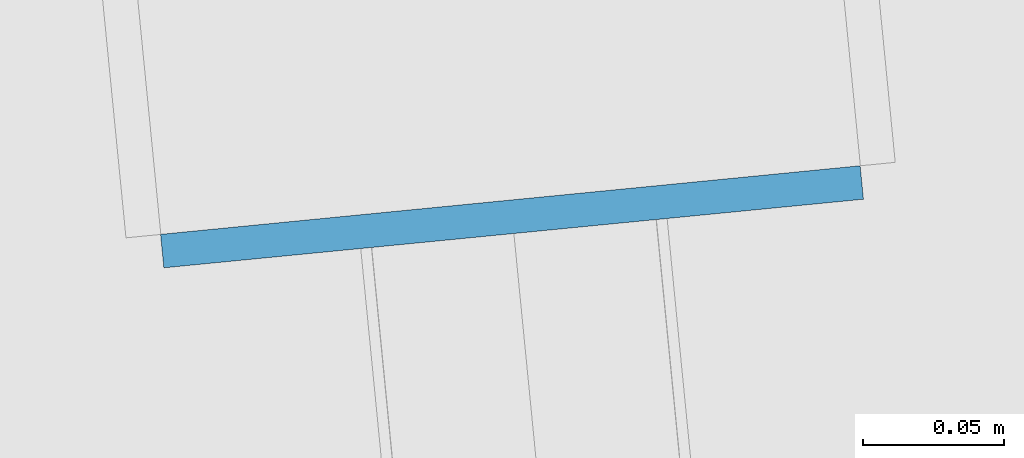
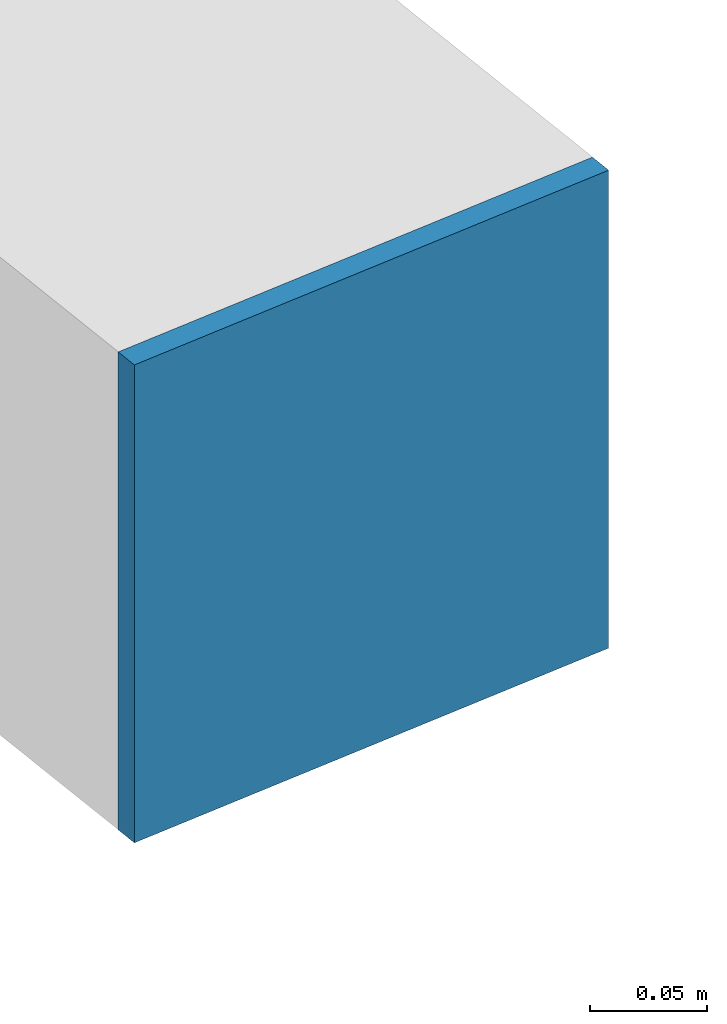
# One storey, part 34 of 47: 1 plate.
"""IFC4 building model written with IfcOpenShell, lengths in metres."""

from ifc_helpers import new_model, si_unit, direction, frame, origin, origin_2d, place, context, subcontext, project, spatial, rectangle, extrude, source, transform, mapped, material, layer, layer_set, type_object, element, save


model = new_model("IFC4")

# Units and contexts
model_context = context("Model", 3, precision=1e-05, world=origin(), true_north=direction((0.0, 1.0)))
body_context = subcontext(model_context, "Body", "Model", "MODEL_VIEW")
ifc_project = project(units=[si_unit("LENGTHUNIT", "METRE"), si_unit("AREAUNIT", "SQUARE_METRE"), si_unit("VOLUMEUNIT", "CUBIC_METRE"), si_unit("PLANEANGLEUNIT", "RADIAN"), si_unit("MASSUNIT", "GRAM", prefix="KILO")], contexts=[model_context])

# Site, building, storey
site_placement = place(None, origin())
site = spatial("IfcSite", under=ifc_project, at=site_placement, CompositionType="ELEMENT")
building_placement = place(site_placement, origin())
building = spatial("IfcBuilding", under=site, at=building_placement, Name="Taldren Reach Tower", CompositionType="ELEMENT")
storey_placement = place(building_placement, frame((0.0, 0.0, 109.199951171875)))
storey = spatial("IfcBuildingStorey", under=building, at=storey_placement, Name="L33", CompositionType="ELEMENT", Elevation=109.199951171875)

# Plate
ifc_material = material(Name="Steel Gr 350 (C350L0)", Category="steel")
ifc_layer = layer(ifc_material, 0.011962890625)
ifc_layer_set = layer_set([ifc_layer], Name="Steel Gr 350 (C350L0)")
plate_type = type_object("IfcPlateType", Name="PL-CAP-250", PredefinedType="SHEET", material=ifc_layer_set)
shared_shape = source(origin(), body_context, "Body", "SweptSolid", [
    extrude(rectangle(XDim=0.25, YDim=0.011962890625, at=origin_2d()), origin(), (0.0, 0.0, 1.0), 0.25),
])
plate_placement = place(storey_placement, frame((34.353515625, 0.2607421875, 0.094970703125), z_axis=(0.0, 0.0, 1.0), x_axis=(0.995227399982, 0.097582899759, 0.0)))
element("IfcPlate", 1, at=plate_placement, inside=storey, type_object=plate_type, Name="Tie strut end cap plate B2-S3 L33", PredefinedType="SHEET", context=body_context, shape_type="MappedRepresentation", body=[
    mapped(shared_shape, transform((0.0, 0.0, 0.0), scale=1.0)),
])

save(model, "model.ifc")
